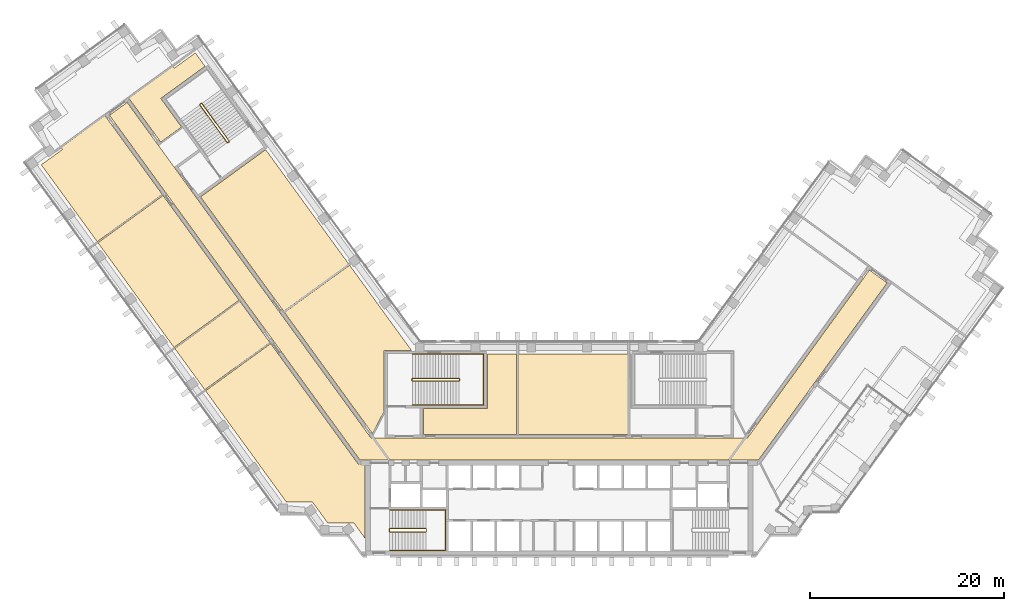
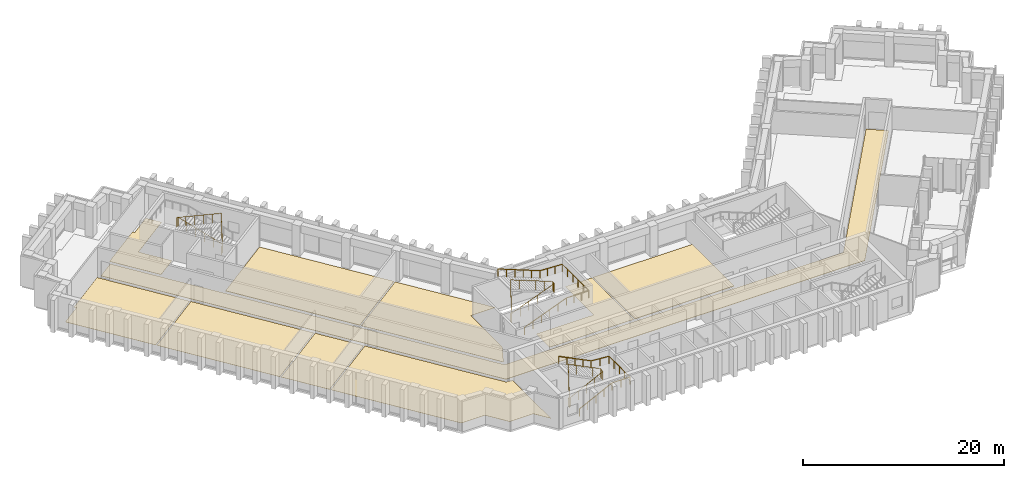
# One storey, part 12 of 14: 10 coverings, 5 railings.
"""IFC4 building model written with IfcOpenShell, lengths in metres."""

from ifc_helpers import new_model, si_unit, direction, frame, origin, origin_2d, place, context, subcontext, project, spatial, polyline, circle, outline, extrude, material, layer, layer_set, type_object, element, save


model = new_model("IFC4")

# Units and contexts
model_context = context("Model", 3, precision=1e-05, world=origin(), true_north=direction((0.0, 1.0)))
body_context = subcontext(model_context, "Body", "Model", "MODEL_VIEW")
ifc_project = project(units=[si_unit("LENGTHUNIT", "METRE"), si_unit("AREAUNIT", "SQUARE_METRE"), si_unit("VOLUMEUNIT", "CUBIC_METRE"), si_unit("PLANEANGLEUNIT", "RADIAN"), si_unit("MASSUNIT", "GRAM", prefix="KILO")], contexts=[model_context])

# Site, building, storey
site_placement = place(None, origin())
site = spatial("IfcSite", under=ifc_project, at=site_placement, CompositionType="ELEMENT")
building_placement = place(site_placement, origin())
building = spatial("IfcBuilding", under=site, at=building_placement, Name="Quipu Civic Tower", CompositionType="ELEMENT")
storey_placement = place(building_placement, frame((0.0, 0.0, 105.0)))
storey = spatial("IfcBuildingStorey", under=building, at=storey_placement, Name="L24", CompositionType="ELEMENT", Elevation=105.0)

# Coverings
ifc_material_1 = material(Name="Carpet tile on raised access floor")
ifc_layer_1 = layer(ifc_material_1, 0.02001953125)
ifc_layer_set_1 = layer_set([ifc_layer_1], Name="Carpet tile on raised access floor")
covering_type_1 = type_object("IfcCoveringType", Name="Carpet tile floor finish 20", PredefinedType="FLOORING", material=ifc_layer_set_1)
covering_1_placement = place(storey_placement, origin())
element("IfcCovering", 1, at=covering_1_placement, inside=storey, type_object=covering_type_1, Name="Carpet tile floor finish 20", PredefinedType="FLOORING", context=body_context, shape_type="SweptSolid", body=[
    extrude(outline(polyline([(-14.030029296875, 4.179931640625), (-7.430908203125, 4.179931640625), (-7.429931640625, 9.830078125), (-4.388916015625, 9.830078125), (-4.388916015625, 1.52001953125), (-14.030029296875, 1.52001953125), (-14.030029296875, 4.179931640625)])), origin(), (0.0, 0.0, 1.0), 0.02001953125),
])
covering_2_placement = place(storey_placement, origin())
element("IfcCovering", 2, at=covering_2_placement, inside=storey, type_object=covering_type_1, Name="Carpet tile floor finish 20", PredefinedType="FLOORING", context=body_context, shape_type="SweptSolid", body=[
    extrude(outline(polyline([(-44.445068359375, 36.23193359375), (-39.906005859375, 39.530029296875), (-39.757080078125, 39.327880859375), (-37.573974609375, 40.9130859375), (-36.570068359375, 39.530029296875), (-41.139892578125, 36.208984375), (-38.998046875, 33.260009765625), (-41.15087890625, 31.697021484375), (-44.445068359375, 36.23193359375)])), origin(), (0.0, 0.0, 1.0), 0.02001953125),
])
covering_3_placement = place(storey_placement, origin())
element("IfcCovering", 3, at=covering_3_placement, inside=storey, type_object=covering_type_1, Name="Carpet tile floor finish 20", PredefinedType="FLOORING", context=body_context, shape_type="SweptSolid", body=[
    extrude(outline(polyline([(-53.47998046875, 29.35791015625), (-51.298095703125, 30.943115234375), (-51.443115234375, 31.14599609375), (-46.904052734375, 34.444091796875), (-40.988037109375, 26.301025390625), (-47.7119140625, 21.41796875), (-53.47998046875, 29.35791015625)])), origin(), (0.0, 0.0, 1.0), 0.02001953125),
])
covering_4_placement = place(storey_placement, origin())
element("IfcCovering", 4, at=covering_4_placement, inside=storey, type_object=covering_type_1, Name="Carpet tile floor finish 20", PredefinedType="FLOORING", context=body_context, shape_type="SweptSolid", body=[
    extrude(outline(polyline([(-39.694091796875, 10.383056640625), (-32.969970703125, 15.26708984375), (-29.87890625, 11.010986328125), (-36.60302734375, 6.126953125), (-39.694091796875, 10.383056640625)])), origin(), (0.0, 0.0, 1.0), 0.02001953125),
])
covering_5_placement = place(storey_placement, origin())
element("IfcCovering", 5, at=covering_5_placement, inside=storey, type_object=covering_type_1, Name="Carpet tile floor finish 20", PredefinedType="FLOORING", context=body_context, shape_type="SweptSolid", body=[
    extrude(outline(polyline([(-47.62890625, 21.304931640625), (-40.905029296875, 26.18798828125), (-33.052978515625, 15.3798828125), (-39.777099609375, 10.49609375), (-47.62890625, 21.304931640625)])), origin(), (0.0, 0.0, 1.0), 0.02001953125),
])
covering_6_placement = place(storey_placement, origin())
element("IfcCovering", 6, at=covering_6_placement, inside=storey, type_object=covering_type_1, Name="Carpet tile floor finish 20", PredefinedType="FLOORING", context=body_context, shape_type="SweptSolid", body=[
    extrude(outline(polyline([(-36.52001953125, 6.013916015625), (-29.7958984375, 10.89794921875), (-20.77490234375, -1.51904296875), (-20.070068359375, -1.52001953125), (-20.070068359375, -9.195068359375), (-21.196044921875, -7.64599609375), (-21.6630859375, -7.64599609375), (-21.666015625, -7.64404296875), (-21.669921875, -7.64111328125), (-21.675048828125, -7.639892578125), (-21.679931640625, -7.637939453125), (-21.68408203125, -7.636962890625), (-21.68896484375, -7.636962890625), (-21.694091796875, -7.635986328125), (-21.698974609375, -7.636962890625), (-21.7041015625, -7.637939453125), (-21.708984375, -7.638916015625), (-21.712890625, -7.64111328125), (-21.718017578125, -7.64306640625), (-21.721923828125, -7.64599609375), (-21.721923828125, -7.64599609375), (-23.89501953125, -7.64599609375), (-25.48193359375, -5.4619140625), (-28.181884765625, -5.4609375), (-36.52001953125, 6.013916015625)])), origin(), (0.0, 0.0, 1.0), 0.02001953125),
])
covering_7_placement = place(storey_placement, origin())
element("IfcCovering", 7, at=covering_7_placement, inside=storey, type_object=covering_type_1, Name="Carpet tile floor finish 20", PredefinedType="FLOORING", context=body_context, shape_type="SweptSolid", body=[
    extrude(outline(polyline([(-28.37109375, 14.10888671875), (-21.64794921875, 18.992919921875), (-15.238037109375, 10.169921875), (-18.070068359375, 10.1689453125), (-18.070068359375, 3.94189453125), (-19.27197265625, 1.583984375), (-28.37109375, 14.10888671875)])), origin(), (0.0, 0.0, 1.0), 0.02001953125),
])
ifc_material_2 = material(Name="Sealed cement screed")
ifc_layer_2 = layer(ifc_material_2, 0.050048828125)
ifc_layer_set_2 = layer_set([ifc_layer_2], Name="Sealed cement screed")
covering_type_2 = type_object("IfcCoveringType", Name="Sealed screed floor finish 50", PredefinedType="FLOORING", material=ifc_layer_set_2)
covering_8_placement = place(storey_placement, origin())
element("IfcCovering", 8, at=covering_8_placement, inside=storey, type_object=covering_type_2, Name="Sealed screed floor finish 50", PredefinedType="FLOORING", context=body_context, shape_type="SweptSolid", body=[
    extrude(outline(polyline([(-4.2490234375, 1.52001953125), (-4.2490234375, 9.830078125), (7.1279296875, 9.830078125), (7.1279296875, 1.52001953125), (-4.2490234375, 1.52001953125)])), origin(), (0.0, 0.0, 1.0), 0.050048828125),
])
covering_9_placement = place(storey_placement, origin())
element("IfcCovering", 9, at=covering_9_placement, inside=storey, type_object=covering_type_2, Name="Sealed screed floor finish 50", PredefinedType="FLOORING", context=body_context, shape_type="SweptSolid", body=[
    extrude(outline(polyline([(-37.0380859375, 26.0380859375), (-30.31494140625, 30.922119140625), (-21.73095703125, 19.10595703125), (-28.4541015625, 14.221923828125), (-37.0380859375, 26.0380859375)])), origin(), (0.0, 0.0, 1.0), 0.050048828125),
])

# Railings
ifc_material_3 = material(Name="Stainless steel", Category="steel")
railing_type_1 = type_object("IfcRailingType", Name="Stair guard 1100", PredefinedType="GUARDRAIL", material=ifc_material_3)
railing_1_placement = place(storey_placement, frame((-17.5, -8.550048828125, 0.15380859375)))
element("IfcRailing", 10, at=railing_1_placement, inside=storey, type_object=railing_type_1, Name="Stair 1 guard", PredefinedType="GUARDRAIL", context=body_context, shape_type="SweptSolid", body=[
    extrude(circle(Radius=0.02392578125, at=origin_2d()), frame((0.0, 0.0, 1.076171875), z_axis=(0.895751851347, 0.0, 0.444554407028), x_axis=(0.0, 1.0, 0.0)), (0.0, 0.0, 1.0), 4.15283203125),
    extrude(circle(Radius=0.02392578125, at=origin_2d()), frame((3.719970703125, 0.0, 2.92236328125), z_axis=(0.707106781187, 0.707106781187, 0.0), x_axis=(-0.707106781187, 0.707106781187, 0.0)), (0.0, 0.0, 1.0), 0.07080078125),
    extrude(circle(Radius=0.02392578125, at=origin_2d()), frame((3.77001953125, 0.050048828125, 2.92236328125), z_axis=(0.0, 1.0, 0.0), x_axis=(-1.0, 0.0, 0.0)), (0.0, 0.0, 1.0), 0.25),
    extrude(circle(Radius=0.02392578125, at=origin_2d()), frame((3.77001953125, 0.300048828125, 2.92236328125), z_axis=(-0.295599637079, 0.295599637079, 0.908428152975), x_axis=(-0.707106781187, -0.707106781187, 0.0)), (0.0, 0.0, 1.0), 0.16943359375),
    extrude(circle(Radius=0.02392578125, at=origin_2d()), frame((3.719970703125, 0.35009765625, 3.076171875), z_axis=(-0.895751851347, 0.0, 0.444554407028), x_axis=(0.0, -1.0, 0.0)), (0.0, 0.0, 1.0), 4.15283203125),
    extrude(circle(Radius=0.02392578125, at=origin_2d()), frame((0.0, 0.35009765625, 4.92236328125), z_axis=(-0.012476181752, -0.074796231092, -0.997120789425), x_axis=(0.986372223864, -0.164529134168, 0.0)), (0.0, 0.0, 1.0), 4.011474609375),
    extrude(circle(Radius=0.02392578125, at=origin_2d()), frame((-0.050048828125, 0.050048828125, 0.92236328125), z_axis=(0.0, 1.0, 0.0), x_axis=(-1.0, 0.0, 0.0)), (0.0, 0.0, 1.0), 0.25),
    extrude(circle(Radius=0.02099609375, at=origin_2d()), origin(), (0.0, 0.0, 1.0), 1.052001953125),
    extrude(circle(Radius=0.02099609375, at=origin_2d()), frame((0.929931640625, 0.0, 0.46142578125)), (0.0, 0.0, 1.0), 1.052001953125),
    extrude(circle(Radius=0.02099609375, at=origin_2d()), frame((1.85986328125, 0.0, 0.923095703125)), (0.0, 0.0, 1.0), 1.052001953125),
    extrude(circle(Radius=0.02099609375, at=origin_2d()), frame((2.7900390625, 0.0, 1.384765625)), (0.0, 0.0, 1.0), 1.052001953125),
    extrude(circle(Radius=0.02099609375, at=origin_2d()), frame((3.719970703125, 0.0, 1.84619140625)), (0.0, 0.0, 1.0), 1.052001953125),
    extrude(circle(Radius=0.02099609375, at=origin_2d()), frame((3.77001953125, 0.050048828125, 1.84619140625)), (0.0, 0.0, 1.0), 1.052001953125),
    extrude(circle(Radius=0.02099609375, at=origin_2d()), frame((3.77001953125, 0.300048828125, 1.84619140625)), (0.0, 0.0, 1.0), 1.052001953125),
    extrude(circle(Radius=0.02099609375, at=origin_2d()), frame((3.719970703125, 0.35009765625, 2.0)), (0.0, 0.0, 1.0), 1.052001953125),
    extrude(circle(Radius=0.02099609375, at=origin_2d()), frame((2.7900390625, 0.35009765625, 2.46142578125)), (0.0, 0.0, 1.0), 1.052001953125),
    extrude(circle(Radius=0.02099609375, at=origin_2d()), frame((1.85986328125, 0.35009765625, 2.923095703125)), (0.0, 0.0, 1.0), 1.052001953125),
    extrude(circle(Radius=0.02099609375, at=origin_2d()), frame((0.929931640625, 0.35009765625, 3.384765625)), (0.0, 0.0, 1.0), 1.052001953125),
    extrude(circle(Radius=0.02099609375, at=origin_2d()), frame((0.0, 0.35009765625, 3.84619140625)), (0.0, 0.0, 1.0), 1.052001953125),
    extrude(circle(Radius=0.02099609375, at=origin_2d()), frame((-0.012451171875, 0.275146484375, 2.84619140625)), (0.0, 0.0, 1.0), 1.052001953125),
    extrude(circle(Radius=0.02099609375, at=origin_2d()), frame((-0.02490234375, 0.2001953125, 1.84619140625)), (0.0, 0.0, 1.0), 1.052001953125),
    extrude(circle(Radius=0.02099609375, at=origin_2d()), frame((-0.03759765625, 0.125, 0.84619140625)), (0.0, 0.0, 1.0), 1.052001953125),
    extrude(circle(Radius=0.02099609375, at=origin_2d()), frame((-0.050048828125, 0.050048828125, -0.15380859375)), (0.0, 0.0, 1.0), 1.052001953125),
    extrude(circle(Radius=0.02099609375, at=origin_2d()), frame((-0.050048828125, 0.300048828125, -0.15380859375)), (0.0, 0.0, 1.0), 1.052001953125),
])
railing_2_placement = place(storey_placement, frame((-15.14990234375, 7.050048828125, 0.11767578125)))
element("IfcRailing", 11, at=railing_2_placement, inside=storey, type_object=railing_type_1, Name="Stair 3 guard", PredefinedType="GUARDRAIL", context=body_context, shape_type="SweptSolid", body=[
    extrude(circle(Radius=0.02392578125, at=origin_2d()), frame((0.0, 0.0, 1.076171875), z_axis=(0.930970042603, 0.0, 0.365095576219), x_axis=(0.0, 1.0, 0.0)), (0.0, 0.0, 1.0), 5.15576171875),
    extrude(circle(Radius=0.02392578125, at=origin_2d()), frame((4.7998046875, 0.0, 2.95849609375), z_axis=(0.707106781187, 0.707106781187, 0.0), x_axis=(-0.707106781187, 0.707106781187, 0.0)), (0.0, 0.0, 1.0), 0.07080078125),
    extrude(circle(Radius=0.02392578125, at=origin_2d()), frame((4.849853515625, 0.050048828125, 2.95849609375), z_axis=(0.0, 1.0, 0.0), x_axis=(-1.0, 0.0, 0.0)), (0.0, 0.0, 1.0), 0.14990234375),
    extrude(circle(Radius=0.02392578125, at=origin_2d()), frame((4.849853515625, 0.199951171875, 2.95849609375), z_axis=(-0.364463019033, 0.364463019033, 0.856932561824), x_axis=(-0.707106781187, -0.707106781187, 0.0)), (0.0, 0.0, 1.0), 0.13720703125),
    extrude(circle(Radius=0.02392578125, at=origin_2d()), frame((4.7998046875, 0.25, 3.076171875), z_axis=(-0.930970042603, 0.0, 0.365095576219), x_axis=(0.0, -1.0, 0.0)), (0.0, 0.0, 1.0), 5.15576171875),
    extrude(circle(Radius=0.02392578125, at=origin_2d()), frame((0.0, 0.25, 4.95849609375), z_axis=(-0.012495627992, -0.049921557685, -0.998674970829), x_axis=(0.970072785993, -0.242814311512, 0.0)), (0.0, 0.0, 1.0), 4.00537109375),
    extrude(circle(Radius=0.02392578125, at=origin_2d()), frame((-0.050048828125, 0.050048828125, 0.95849609375), z_axis=(0.0, 1.0, 0.0), x_axis=(-1.0, 0.0, 0.0)), (0.0, 0.0, 1.0), 0.14990234375),
    extrude(circle(Radius=0.02099609375, at=origin_2d()), origin(), (0.0, 0.0, 1.0), 1.052001953125),
    extrude(circle(Radius=0.02099609375, at=origin_2d()), frame((0.9599609375, 0.0, 0.37646484375)), (0.0, 0.0, 1.0), 1.052001953125),
    extrude(circle(Radius=0.02099609375, at=origin_2d()), frame((1.919921875, 0.0, 0.7529296875)), (0.0, 0.0, 1.0), 1.052001953125),
    extrude(circle(Radius=0.02099609375, at=origin_2d()), frame((2.8798828125, 0.0, 1.12939453125)), (0.0, 0.0, 1.0), 1.052001953125),
    extrude(circle(Radius=0.02099609375, at=origin_2d()), frame((3.83984375, 0.0, 1.505859375)), (0.0, 0.0, 1.0), 1.052001953125),
    extrude(circle(Radius=0.02099609375, at=origin_2d()), frame((4.7998046875, 0.0, 1.88232421875)), (0.0, 0.0, 1.0), 1.052001953125),
    extrude(circle(Radius=0.02099609375, at=origin_2d()), frame((4.849853515625, 0.050048828125, 1.88232421875)), (0.0, 0.0, 1.0), 1.052001953125),
    extrude(circle(Radius=0.02099609375, at=origin_2d()), frame((4.849853515625, 0.199951171875, 1.88232421875)), (0.0, 0.0, 1.0), 1.052001953125),
    extrude(circle(Radius=0.02099609375, at=origin_2d()), frame((4.7998046875, 0.25, 2.0)), (0.0, 0.0, 1.0), 1.052001953125),
    extrude(circle(Radius=0.02099609375, at=origin_2d()), frame((3.83984375, 0.25, 2.37646484375)), (0.0, 0.0, 1.0), 1.052001953125),
    extrude(circle(Radius=0.02099609375, at=origin_2d()), frame((2.8798828125, 0.25, 2.7529296875)), (0.0, 0.0, 1.0), 1.052001953125),
    extrude(circle(Radius=0.02099609375, at=origin_2d()), frame((1.919921875, 0.25, 3.12939453125)), (0.0, 0.0, 1.0), 1.052001953125),
    extrude(circle(Radius=0.02099609375, at=origin_2d()), frame((0.9599609375, 0.25, 3.505859375)), (0.0, 0.0, 1.0), 1.052001953125),
    extrude(circle(Radius=0.02099609375, at=origin_2d()), frame((0.0, 0.25, 3.88232421875)), (0.0, 0.0, 1.0), 1.052001953125),
    extrude(circle(Radius=0.02099609375, at=origin_2d()), frame((-0.012451171875, 0.199951171875, 2.88232421875)), (0.0, 0.0, 1.0), 1.052001953125),
    extrude(circle(Radius=0.02099609375, at=origin_2d()), frame((-0.02490234375, 0.14990234375, 1.88232421875)), (0.0, 0.0, 1.0), 1.052001953125),
    extrude(circle(Radius=0.02099609375, at=origin_2d()), frame((-0.03759765625, 0.10009765625, 0.88232421875)), (0.0, 0.0, 1.0), 1.052001953125),
    extrude(circle(Radius=0.02099609375, at=origin_2d()), frame((-0.050048828125, 0.050048828125, -0.11767578125)), (0.0, 0.0, 1.0), 1.052001953125),
    extrude(circle(Radius=0.02099609375, at=origin_2d()), frame((-0.050048828125, 0.199951171875, -0.11767578125)), (0.0, 0.0, 1.0), 1.052001953125),
])
railing_3_placement = place(storey_placement, frame((-34.078857421875, 31.79736328125, 0.11767578125)))
element("IfcRailing", 12, at=railing_3_placement, inside=storey, type_object=railing_type_1, Name="Stair 6 guard", PredefinedType="GUARDRAIL", context=body_context, shape_type="SweptSolid", body=[
    extrude(circle(Radius=0.02392578125, at=origin_2d()), frame((0.0, 0.0, 1.076171875), z_axis=(-0.54720100349, 0.753182689643, 0.365084781664), x_axis=(-0.809026317077, -0.587772420479, 0.0)), (0.0, 0.0, 1.0), 5.15576171875),
    extrude(circle(Radius=0.02392578125, at=origin_2d()), frame((-2.8212890625, 3.88330078125, 2.95849609375), z_axis=(-0.987846838465, 0.155430446612, 0.0), x_axis=(-0.155430446612, -0.987846838465, 0.0)), (0.0, 0.0, 1.0), 0.07080078125),
    extrude(circle(Radius=0.02392578125, at=origin_2d()), frame((-2.89111328125, 3.894287109375, 2.95849609375), z_axis=(-0.809649071907, -0.586914287065, 0.0), x_axis=(0.586914287065, -0.809649071907, 0.0)), (0.0, 0.0, 1.0), 0.150146484375),
    extrude(circle(Radius=0.02392578125, at=origin_2d()), frame((-3.0126953125, 3.80615234375, 2.95849609375), z_axis=(-0.080033047627, -0.508654480474, 0.857242865693), x_axis=(0.987846838465, -0.155430446612, 0.0)), (0.0, 0.0, 1.0), 0.13720703125),
    extrude(circle(Radius=0.02392578125, at=origin_2d()), frame((-3.023681640625, 3.736328125, 3.076171875), z_axis=(0.54720100349, -0.753182689643, 0.365084781664), x_axis=(0.809026317077, 0.587772420479, 0.0)), (0.0, 0.0, 1.0), 5.15576171875),
    extrude(circle(Radius=0.02392578125, at=origin_2d()), frame((-0.202392578125, -0.14697265625, 4.95849609375), z_axis=(0.047788004556, 0.019261491632, -0.998671768681), x_axis=(-0.373837031195, 0.92749440651, 0.0)), (0.0, 0.0, 1.0), 4.00537109375),
    extrude(circle(Radius=0.02392578125, at=origin_2d()), frame((-0.010986328125, -0.06982421875, 0.95849609375), z_axis=(-0.809087927272, -0.587687609145, 0.0), x_axis=(0.587687609145, -0.809087927272, 0.0)), (0.0, 0.0, 1.0), 0.14990234375),
    extrude(circle(Radius=0.02099609375, at=origin_2d()), origin(), (0.0, 0.0, 1.0), 1.052001953125),
    extrude(circle(Radius=0.02099609375, at=origin_2d()), frame((-0.564208984375, 0.776611328125, 0.37646484375)), (0.0, 0.0, 1.0), 1.052001953125),
    extrude(circle(Radius=0.02099609375, at=origin_2d()), frame((-1.12841796875, 1.55322265625, 0.7529296875)), (0.0, 0.0, 1.0), 1.052001953125),
    extrude(circle(Radius=0.02099609375, at=origin_2d()), frame((-1.69287109375, 2.330078125, 1.12939453125)), (0.0, 0.0, 1.0), 1.052001953125),
    extrude(circle(Radius=0.02099609375, at=origin_2d()), frame((-2.257080078125, 3.106689453125, 1.505859375)), (0.0, 0.0, 1.0), 1.052001953125),
    extrude(circle(Radius=0.02099609375, at=origin_2d()), frame((-2.8212890625, 3.88330078125, 1.88232421875)), (0.0, 0.0, 1.0), 1.052001953125),
    extrude(circle(Radius=0.02099609375, at=origin_2d()), frame((-2.89111328125, 3.894287109375, 1.88232421875)), (0.0, 0.0, 1.0), 1.052001953125),
    extrude(circle(Radius=0.02099609375, at=origin_2d()), frame((-3.0126953125, 3.80615234375, 1.88232421875)), (0.0, 0.0, 1.0), 1.052001953125),
    extrude(circle(Radius=0.02099609375, at=origin_2d()), frame((-3.023681640625, 3.736328125, 2.0)), (0.0, 0.0, 1.0), 1.052001953125),
    extrude(circle(Radius=0.02099609375, at=origin_2d()), frame((-2.45947265625, 2.959716796875, 2.37646484375)), (0.0, 0.0, 1.0), 1.052001953125),
    extrude(circle(Radius=0.02099609375, at=origin_2d()), frame((-1.895263671875, 2.18310546875, 2.7529296875)), (0.0, 0.0, 1.0), 1.052001953125),
    extrude(circle(Radius=0.02099609375, at=origin_2d()), frame((-1.330810546875, 1.40625, 3.12939453125)), (0.0, 0.0, 1.0), 1.052001953125),
    extrude(circle(Radius=0.02099609375, at=origin_2d()), frame((-0.7666015625, 0.629638671875, 3.505859375)), (0.0, 0.0, 1.0), 1.052001953125),
    extrude(circle(Radius=0.02099609375, at=origin_2d()), frame((-0.202392578125, -0.14697265625, 3.88232421875)), (0.0, 0.0, 1.0), 1.052001953125),
    extrude(circle(Radius=0.02099609375, at=origin_2d()), frame((-0.154541015625, -0.127685546875, 2.88232421875)), (0.0, 0.0, 1.0), 1.052001953125),
    extrude(circle(Radius=0.02099609375, at=origin_2d()), frame((-0.106689453125, -0.1083984375, 1.88232421875)), (0.0, 0.0, 1.0), 1.052001953125),
    extrude(circle(Radius=0.02099609375, at=origin_2d()), frame((-0.058837890625, -0.089111328125, 0.88232421875)), (0.0, 0.0, 1.0), 1.052001953125),
    extrude(circle(Radius=0.02099609375, at=origin_2d()), frame((-0.010986328125, -0.06982421875, -0.11767578125)), (0.0, 0.0, 1.0), 1.052001953125),
    extrude(circle(Radius=0.02099609375, at=origin_2d()), frame((-0.13232421875, -0.157958984375, -0.11767578125)), (0.0, 0.0, 1.0), 1.052001953125),
])
ifc_material_4 = material(Name="Stainless steel", Category="steel")
railing_type_2 = type_object("IfcRailingType", Name="Stair handrail", PredefinedType="HANDRAIL", material=ifc_material_4)
railing_4_placement = place(storey_placement, frame((-17.5, -10.449951171875, 0.15380859375)))
element("IfcRailing", 13, at=railing_4_placement, inside=storey, type_object=railing_type_2, Name="Stair 1 handrail", PredefinedType="HANDRAIL", context=body_context, shape_type="SweptSolid", body=[
    extrude(circle(Radius=0.02392578125, at=origin_2d()), frame((0.0, 0.0, 0.8759765625), z_axis=(0.895751851347, 0.0, 0.444554407028), x_axis=(0.0, 1.0, 0.0)), (0.0, 0.0, 1.0), 4.15283203125),
    extrude(circle(Radius=0.02392578125, at=origin_2d()), frame((3.719970703125, 0.0, 2.72216796875), z_axis=(1.0, 0.0, 0.0), x_axis=(0.0, 1.0, 0.0)), (0.0, 0.0, 1.0), 2.030029296875),
    extrude(circle(Radius=0.02392578125, at=origin_2d()), frame((5.75, 0.0, 2.72216796875), z_axis=(0.0, 1.0, 0.0), x_axis=(-1.0, 0.0, 0.0)), (0.0, 0.0, 1.0), 4.14990234375),
    extrude(circle(Radius=0.02392578125, at=origin_2d()), frame((5.75, 4.14990234375, 2.72216796875), z_axis=(-0.997142003663, 0.0, 0.075550145798), x_axis=(0.0, -1.0, 0.0)), (0.0, 0.0, 1.0), 2.035888671875),
    extrude(circle(Radius=0.02392578125, at=origin_2d()), frame((3.719970703125, 4.14990234375, 2.8759765625), z_axis=(-0.895751851347, 0.0, 0.444554407028), x_axis=(0.0, -1.0, 0.0)), (0.0, 0.0, 1.0), 4.15283203125),
    extrude(circle(Radius=0.02099609375, at=origin_2d()), origin(), (0.0, 0.0, 1.0), 0.851806640625),
    extrude(circle(Radius=0.02099609375, at=origin_2d()), frame((0.929931640625, 0.0, 0.46142578125)), (0.0, 0.0, 1.0), 0.851806640625),
    extrude(circle(Radius=0.02099609375, at=origin_2d()), frame((1.85986328125, 0.0, 0.923095703125)), (0.0, 0.0, 1.0), 0.851806640625),
    extrude(circle(Radius=0.02099609375, at=origin_2d()), frame((2.7900390625, 0.0, 1.384765625)), (0.0, 0.0, 1.0), 0.851806640625),
    extrude(circle(Radius=0.02099609375, at=origin_2d()), frame((3.719970703125, 0.0, 1.84619140625)), (0.0, 0.0, 1.0), 0.851806640625),
    extrude(circle(Radius=0.02099609375, at=origin_2d()), frame((4.73486328125, 0.0, 1.84619140625)), (0.0, 0.0, 1.0), 0.851806640625),
    extrude(circle(Radius=0.02099609375, at=origin_2d()), frame((5.75, 0.0, 1.84619140625)), (0.0, 0.0, 1.0), 0.851806640625),
    extrude(circle(Radius=0.02099609375, at=origin_2d()), frame((5.75, 1.03759765625, 1.84619140625)), (0.0, 0.0, 1.0), 0.851806640625),
    extrude(circle(Radius=0.02099609375, at=origin_2d()), frame((5.75, 2.074951171875, 1.84619140625)), (0.0, 0.0, 1.0), 0.851806640625),
    extrude(circle(Radius=0.02099609375, at=origin_2d()), frame((5.75, 3.1123046875, 1.84619140625)), (0.0, 0.0, 1.0), 0.851806640625),
    extrude(circle(Radius=0.02099609375, at=origin_2d()), frame((5.75, 4.14990234375, 1.84619140625)), (0.0, 0.0, 1.0), 0.851806640625),
    extrude(circle(Radius=0.02099609375, at=origin_2d()), frame((4.73486328125, 4.14990234375, 1.923095703125)), (0.0, 0.0, 1.0), 0.851806640625),
    extrude(circle(Radius=0.02099609375, at=origin_2d()), frame((3.719970703125, 4.14990234375, 2.0)), (0.0, 0.0, 1.0), 0.851806640625),
    extrude(circle(Radius=0.02099609375, at=origin_2d()), frame((2.7900390625, 4.14990234375, 2.46142578125)), (0.0, 0.0, 1.0), 0.851806640625),
    extrude(circle(Radius=0.02099609375, at=origin_2d()), frame((1.85986328125, 4.14990234375, 2.923095703125)), (0.0, 0.0, 1.0), 0.851806640625),
    extrude(circle(Radius=0.02099609375, at=origin_2d()), frame((0.929931640625, 4.14990234375, 3.384765625)), (0.0, 0.0, 1.0), 0.851806640625),
    extrude(circle(Radius=0.02099609375, at=origin_2d()), frame((0.0, 4.14990234375, 3.84619140625)), (0.0, 0.0, 1.0), 0.851806640625),
])
railing_5_placement = place(storey_placement, frame((-15.14990234375, 4.550048828125, 0.11767578125)))
element("IfcRailing", 14, at=railing_5_placement, inside=storey, type_object=railing_type_2, Name="Stair 3 handrail", PredefinedType="HANDRAIL", context=body_context, shape_type="SweptSolid", body=[
    extrude(circle(Radius=0.02392578125, at=origin_2d()), frame((0.0, 0.0, 0.8759765625), z_axis=(0.930970042603, 0.0, 0.365095576219), x_axis=(0.0, 1.0, 0.0)), (0.0, 0.0, 1.0), 5.15576171875),
    extrude(circle(Radius=0.02392578125, at=origin_2d()), frame((4.7998046875, 0.0, 2.75830078125), z_axis=(1.0, 0.0, 0.0), x_axis=(0.0, 1.0, 0.0)), (0.0, 0.0, 1.0), 2.550048828125),
    extrude(circle(Radius=0.02392578125, at=origin_2d()), frame((7.349853515625, 0.0, 2.75830078125), z_axis=(0.0, 1.0, 0.0), x_axis=(-1.0, 0.0, 0.0)), (0.0, 0.0, 1.0), 5.25),
    extrude(circle(Radius=0.02392578125, at=origin_2d()), frame((7.349853515625, 5.25, 2.75830078125), z_axis=(-0.998936948642, 0.0, 0.04609742549), x_axis=(0.0, -1.0, 0.0)), (0.0, 0.0, 1.0), 2.552734375),
    extrude(circle(Radius=0.02392578125, at=origin_2d()), frame((4.7998046875, 5.25, 2.8759765625), z_axis=(-0.930970042603, 0.0, 0.365095576219), x_axis=(0.0, -1.0, 0.0)), (0.0, 0.0, 1.0), 5.15576171875),
    extrude(circle(Radius=0.02099609375, at=origin_2d()), origin(), (0.0, 0.0, 1.0), 0.851806640625),
    extrude(circle(Radius=0.02099609375, at=origin_2d()), frame((0.9599609375, 0.0, 0.37646484375)), (0.0, 0.0, 1.0), 0.851806640625),
    extrude(circle(Radius=0.02099609375, at=origin_2d()), frame((1.919921875, 0.0, 0.7529296875)), (0.0, 0.0, 1.0), 0.851806640625),
    extrude(circle(Radius=0.02099609375, at=origin_2d()), frame((2.8798828125, 0.0, 1.12939453125)), (0.0, 0.0, 1.0), 0.851806640625),
    extrude(circle(Radius=0.02099609375, at=origin_2d()), frame((3.83984375, 0.0, 1.505859375)), (0.0, 0.0, 1.0), 0.851806640625),
    extrude(circle(Radius=0.02099609375, at=origin_2d()), frame((4.7998046875, 0.0, 1.88232421875)), (0.0, 0.0, 1.0), 0.851806640625),
    extrude(circle(Radius=0.02099609375, at=origin_2d()), frame((5.64990234375, 0.0, 1.88232421875)), (0.0, 0.0, 1.0), 0.851806640625),
    extrude(circle(Radius=0.02099609375, at=origin_2d()), frame((6.499755859375, 0.0, 1.88232421875)), (0.0, 0.0, 1.0), 0.851806640625),
    extrude(circle(Radius=0.02099609375, at=origin_2d()), frame((7.349853515625, 0.0, 1.88232421875)), (0.0, 0.0, 1.0), 0.851806640625),
    extrude(circle(Radius=0.02099609375, at=origin_2d()), frame((7.349853515625, 1.050048828125, 1.88232421875)), (0.0, 0.0, 1.0), 0.851806640625),
    extrude(circle(Radius=0.02099609375, at=origin_2d()), frame((7.349853515625, 2.10009765625, 1.88232421875)), (0.0, 0.0, 1.0), 0.851806640625),
    extrude(circle(Radius=0.02099609375, at=origin_2d()), frame((7.349853515625, 3.14990234375, 1.88232421875)), (0.0, 0.0, 1.0), 0.851806640625),
    extrude(circle(Radius=0.02099609375, at=origin_2d()), frame((7.349853515625, 4.199951171875, 1.88232421875)), (0.0, 0.0, 1.0), 0.851806640625),
    extrude(circle(Radius=0.02099609375, at=origin_2d()), frame((7.349853515625, 5.25, 1.88232421875)), (0.0, 0.0, 1.0), 0.851806640625),
    extrude(circle(Radius=0.02099609375, at=origin_2d()), frame((6.499755859375, 5.25, 1.921630859375)), (0.0, 0.0, 1.0), 0.851806640625),
    extrude(circle(Radius=0.02099609375, at=origin_2d()), frame((5.64990234375, 5.25, 1.960693359375)), (0.0, 0.0, 1.0), 0.851806640625),
    extrude(circle(Radius=0.02099609375, at=origin_2d()), frame((4.7998046875, 5.25, 2.0)), (0.0, 0.0, 1.0), 0.851806640625),
    extrude(circle(Radius=0.02099609375, at=origin_2d()), frame((3.83984375, 5.25, 2.37646484375)), (0.0, 0.0, 1.0), 0.851806640625),
    extrude(circle(Radius=0.02099609375, at=origin_2d()), frame((2.8798828125, 5.25, 2.7529296875)), (0.0, 0.0, 1.0), 0.851806640625),
    extrude(circle(Radius=0.02099609375, at=origin_2d()), frame((1.919921875, 5.25, 3.12939453125)), (0.0, 0.0, 1.0), 0.851806640625),
    extrude(circle(Radius=0.02099609375, at=origin_2d()), frame((0.9599609375, 5.25, 3.505859375)), (0.0, 0.0, 1.0), 0.851806640625),
    extrude(circle(Radius=0.02099609375, at=origin_2d()), frame((0.0, 5.25, 3.88232421875)), (0.0, 0.0, 1.0), 0.851806640625),
])

# Covering
ifc_material_5 = material(Name="Terrazzo floor finish")
ifc_layer_3 = layer(ifc_material_5, 0.0400390625)
ifc_layer_set_3 = layer_set([ifc_layer_3], Name="Terrazzo floor finish")
covering_type_3 = type_object("IfcCoveringType", Name="Terrazzo floor finish 40", PredefinedType="FLOORING", material=ifc_layer_set_3)
covering_10_placement = place(storey_placement, origin())
element("IfcCovering", 15, at=covering_10_placement, inside=storey, type_object=covering_type_3, Name="Terrazzo floor finish 40", PredefinedType="FLOORING", context=body_context, shape_type="SweptSolid", body=[
    extrude(outline(polyline([(20.574951171875, -1.1298828125), (-20.574951171875, -1.1298828125), (-46.44091796875, 34.471923828125), (-44.613037109375, 35.800048828125), (-19.425048828125, 1.1298828125), (19.425048828125, 1.1298828125), (32.033935546875, 18.487060546875), (33.863037109375, 17.158935546875), (20.574951171875, -1.1298828125)])), origin(), (0.0, 0.0, 1.0), 0.0400390625),
])

save(model, "model.ifc")
